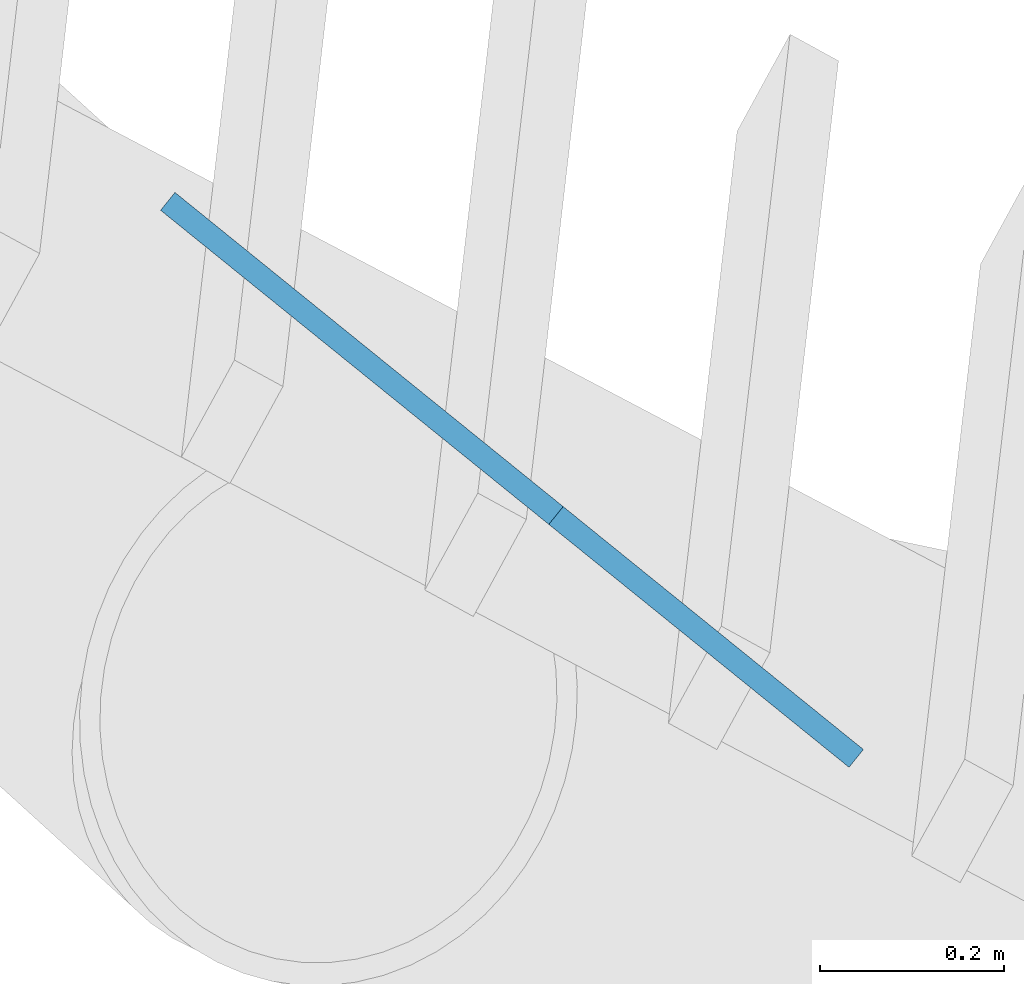
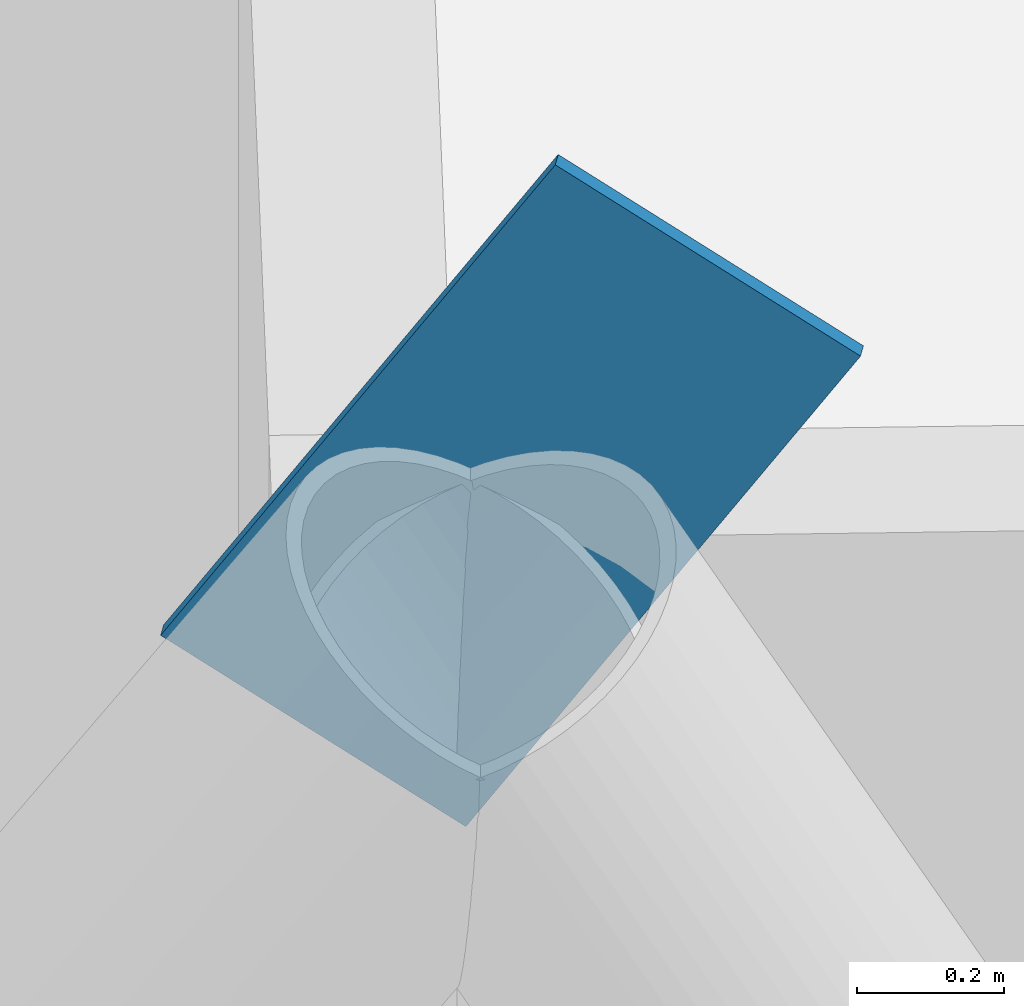
# One storey, part 9 of 24: 1 discrete accessory.
"""IFC4 building model written with IfcOpenShell, lengths in metres."""

from ifc_helpers import new_model, si_unit, direction, frame, origin, origin_2d, place, context, subcontext, project, spatial, rectangle, extrude, material, material_profile, profile_set, type_object, element, save


model = new_model("IFC4")

# Units and contexts
model_context = context("Model", 3, precision=1e-05, world=origin(), true_north=direction((0.0, 1.0)))
body_context = subcontext(model_context, "Body", "Model", "MODEL_VIEW")
ifc_project = project(units=[si_unit("LENGTHUNIT", "METRE"), si_unit("AREAUNIT", "SQUARE_METRE"), si_unit("VOLUMEUNIT", "CUBIC_METRE"), si_unit("PLANEANGLEUNIT", "RADIAN"), si_unit("MASSUNIT", "GRAM", prefix="KILO")], contexts=[model_context])

# Site, building, storey
site_placement = place(None, origin())
site = spatial("IfcSite", under=ifc_project, at=site_placement, CompositionType="ELEMENT")
building_placement = place(site_placement, origin())
building = spatial("IfcBuilding", under=site, at=building_placement, Name="Tarsis Ring Headquarters", CompositionType="ELEMENT")
storey_placement = place(building_placement, frame((0.0, 0.0, 163.199951171875)))
storey = spatial("IfcBuildingStorey", under=building, at=storey_placement, Name="L37", CompositionType="ELEMENT", Elevation=163.199951171875)

# Discrete accessory
ifc_material = material(Name="Structural steel S355", Category="steel")
ifc_material_profile = material_profile(ifc_material, rectangle(XDim=0.02490234375, YDim=0.5, at=origin_2d()), Name="PL 25x500")
ifc_profile_set = profile_set([ifc_material_profile], Name="Structural steel S355")
discrete_accessory_type = type_object("IfcDiscreteAccessoryType", Name="Gusset plate Exo brace 25", PredefinedType="BRACKET", material=ifc_profile_set)
discrete_accessory_placement = place(storey_placement, frame((-40.909912109375, 4.540771484375, 7.380126953125), z_axis=(0.422081078298, -0.341521936691, 0.8397680216), x_axis=(0.629017132116, 0.777391437761, 0.0)))
element("IfcDiscreteAccessory", 1, at=discrete_accessory_placement, inside=storey, type_object=discrete_accessory_type, Name="Gusset plate GP5", PredefinedType="BRACKET", context=body_context, shape_type="SweptSolid", body=[
    extrude(rectangle(XDim=0.02490234375, YDim=0.5, at=origin_2d()), origin(), (0.0, 0.0, 1.0), 1.0),
])

save(model, "model.ifc")
